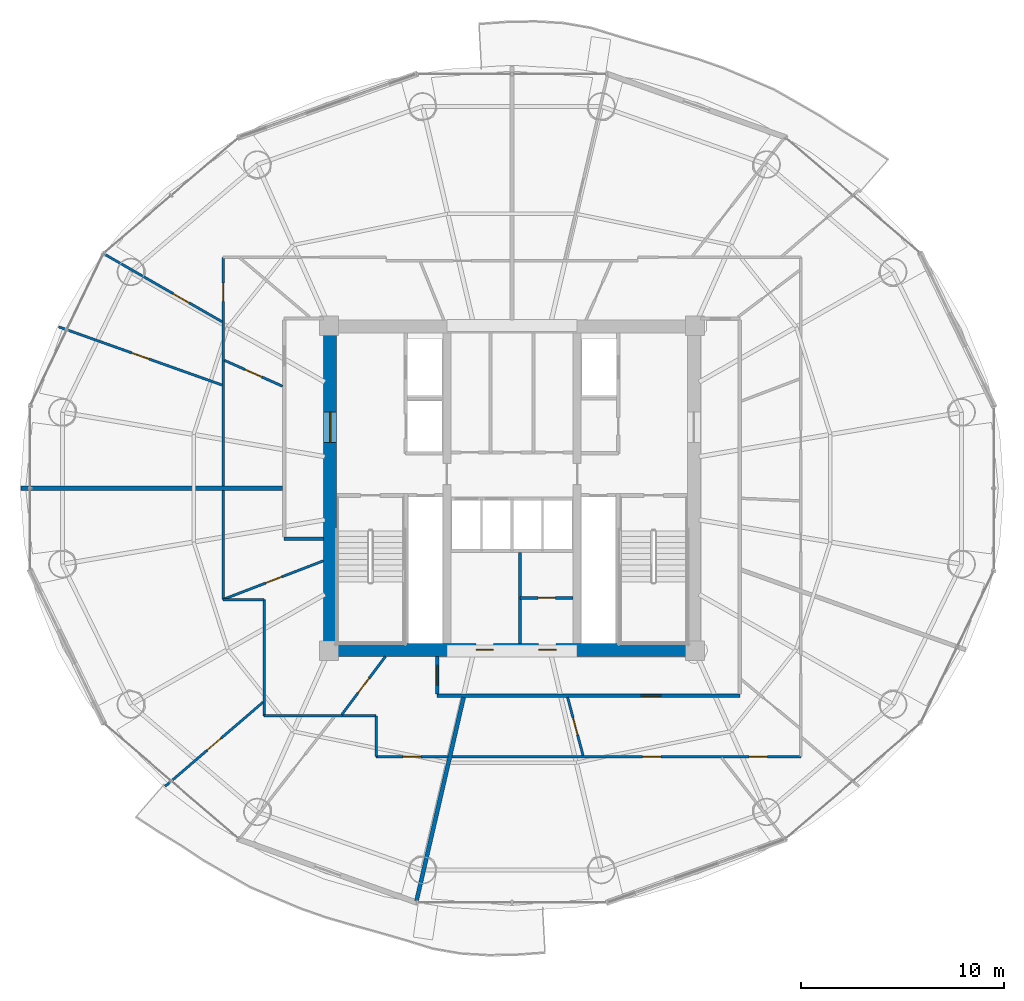
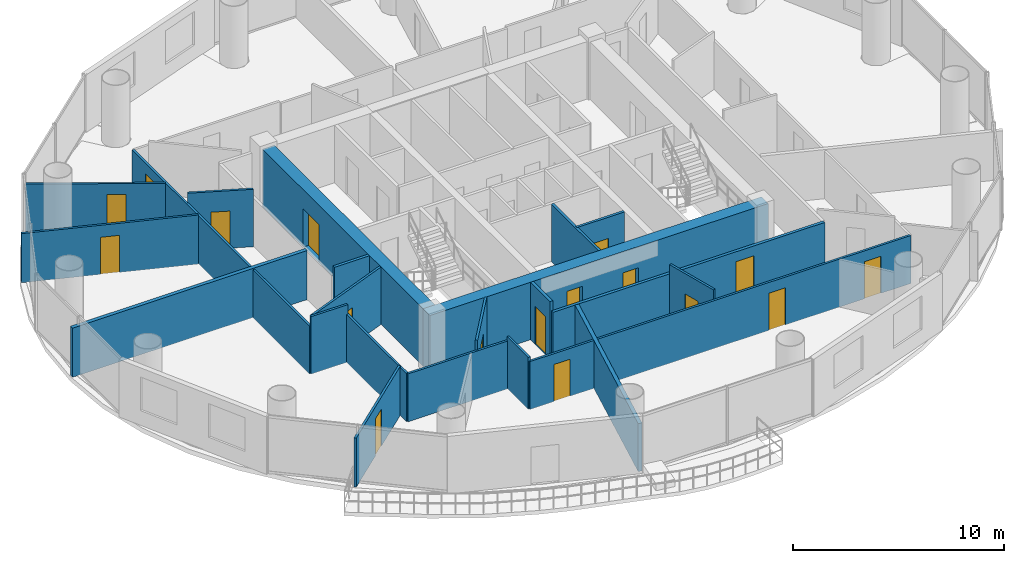
# One storey, part 20 of 26: 24 walls, 17 doors, 17 openings.
"""IFC4 building model written with IfcOpenShell, lengths in metres."""

from ifc_helpers import new_model, si_unit, direction, frame, frame_2d, origin, place, context, subcontext, project, spatial, rectangle, extrude, source, transform, mapped, material, layer, layer_set, type_object, element, fill, save


model = new_model("IFC4")

# Units and contexts
model_context = context("Model", 3, precision=1e-05, world=origin(), true_north=direction((-0.2419218956, 0.970295726276)))
body_context = subcontext(model_context, "Body", "Model", "MODEL_VIEW")
ifc_project = project(units=[si_unit("LENGTHUNIT", "METRE"), si_unit("AREAUNIT", "SQUARE_METRE"), si_unit("VOLUMEUNIT", "CUBIC_METRE"), si_unit("PLANEANGLEUNIT", "RADIAN"), si_unit("MASSUNIT", "GRAM", prefix="KILO")], contexts=[model_context])

# Site, building, storey
site_placement = place(None, origin())
site = spatial("IfcSite", under=ifc_project, at=site_placement, CompositionType="ELEMENT")
building_placement = place(site_placement, origin())
building = spatial("IfcBuilding", under=site, at=building_placement, Name="Cobrevalo Terracotta Tower", CompositionType="ELEMENT")
storey_placement = place(building_placement, frame((0.0, 0.0, 178.60009765625)))
storey = spatial("IfcBuildingStorey", under=building, at=storey_placement, Name="L47", CompositionType="ELEMENT", Elevation=178.60009765625)

# Wall, openings, doors
ifc_material_1 = material(Name="Concrete C55", Category="concrete")
ifc_layer_1 = layer(ifc_material_1, 0.64990234375)
ifc_layer_set_1 = layer_set([ifc_layer_1], Name="Concrete C55")
wall_type_1 = type_object("IfcWallType", Name="Core shear wall 650 mm Concrete C55", PredefinedType="SHEAR", material=ifc_layer_set_1)
wall_1_placement = place(storey_placement, frame((28.72509765625, 18.85009765625, 0.0), z_axis=(0.0, 0.0, 1.0), x_axis=(1.0, 0.0, 0.0)))
wall_1 = element("IfcWall", 1, at=wall_1_placement, inside=storey, type_object=wall_type_1, Name="L47 south core shear wall", PredefinedType="SHEAR", context=body_context, shape_type="SweptSolid", body=[
    extrude(rectangle(XDim=18.5498046875, YDim=0.64990234375, at=frame_2d((9.27490234375, 0.0))), origin(), (0.0, 0.0, 1.0), 3.329833984375),
])
opening_1_placement = place(wall_1_placement, frame((7.510009765625, 0.0, 0.0)))
opening_1 = element("IfcOpeningElement", 2, at=opening_1_placement, cuts=wall_1, Name="Opening ID-22", PredefinedType="OPENING", context=body_context, shape_type="SweptSolid", body=[
    extrude(rectangle(XDim=0.85009765625, YDim=2.10009765625, at=frame_2d((0.425048828125, 1.050048828125))), frame((0.0, 0.3349609375, 0.0), z_axis=(0.0, -1.0, 0.0), x_axis=(1.0, 0.0, 0.0)), (0.0, 0.0, 1.0), 0.669921875),
])
opening_2_placement = place(wall_1_placement, frame((10.590087890625, 0.0, 0.0)))
opening_2 = element("IfcOpeningElement", 3, at=opening_2_placement, cuts=wall_1, Name="Opening ID-22", PredefinedType="OPENING", context=body_context, shape_type="SweptSolid", body=[
    extrude(rectangle(XDim=0.85009765625, YDim=2.10009765625, at=frame_2d((0.425048828125, 1.050048828125))), frame((0.0, 0.3349609375, 0.0), z_axis=(0.0, -1.0, 0.0), x_axis=(1.0, 0.0, 0.0)), (0.0, 0.0, 1.0), 0.669921875),
])
ifc_material_2 = material(Name="Powder-coated steel", Category="steel")
door_type_1 = type_object("IfcDoorType", Name="Riser shaft & meter closet fire access door 850x2100 EI 60", OperationType="NOTDEFINED", PredefinedType="DOOR", material=ifc_material_2)
shared_shape_1 = source(origin(), body_context, "Body", "SweptSolid", [
    extrude(rectangle(XDim=0.85009765625, YDim=2.10009765625, at=frame_2d((0.425048828125, 1.050048828125))), frame((0.0, 0.02490234375, 0.0), z_axis=(0.0, -1.0, 0.0), x_axis=(1.0, 0.0, 0.0)), (0.0, 0.0, 1.0), 0.050048828125),
])
door_1_placement = place(opening_1_placement, origin())
door_1 = element("IfcDoor", 4, at=door_1_placement, inside=storey, type_object=door_type_1, Name="L47 core south plant door Floor AHU Mechanical Plant", OperationType="SINGLE_SWING_RIGHT", OverallHeight=2.10009765625, OverallWidth=0.85009765625, PredefinedType="DOOR", context=body_context, shape_type="MappedRepresentation", body=[
    mapped(shared_shape_1, transform((0.0, 0.0, 0.0), scale=1.0)),
])
fill(opening_1, door_1)
door_2_placement = place(opening_2_placement, origin())
door_2 = element("IfcDoor", 5, at=door_2_placement, inside=storey, type_object=door_type_1, Name="L47 core south plant door Sprinkler Valve Plant", OperationType="SINGLE_SWING_RIGHT", OverallHeight=2.10009765625, OverallWidth=0.85009765625, PredefinedType="DOOR", context=body_context, shape_type="MappedRepresentation", body=[
    mapped(shared_shape_1, transform((0.0, 0.0, 0.0), scale=1.0)),
])
fill(opening_2, door_2)

# Wall, opening, door
wall_2_placement = place(storey_placement, frame((29.050048828125, 19.175048828125, 0.0), z_axis=(0.0, 0.0, 1.0), x_axis=(0.0, 1.0, 0.0)))
wall_2 = element("IfcWall", 6, at=wall_2_placement, inside=storey, type_object=wall_type_1, Name="L47 west core shear wall", PredefinedType="SHEAR", context=body_context, shape_type="SweptSolid", body=[
    extrude(rectangle(XDim=15.25, YDim=0.64990234375, at=frame_2d((7.625, 0.0))), origin(), (0.0, 0.0, 1.0), 3.329833984375),
])
opening_3_placement = place(wall_2_placement, frame((9.875, 0.0, 0.0)))
opening_3 = element("IfcOpeningElement", 7, at=opening_3_placement, cuts=wall_2, Name="Opening ID-14", PredefinedType="OPENING", context=body_context, shape_type="SweptSolid", body=[
    extrude(rectangle(XDim=1.5, YDim=2.199951171875, at=frame_2d((0.75, 1.10009765625))), frame((0.0, 0.3349609375, 0.0), z_axis=(0.0, -1.0, 0.0), x_axis=(1.0, 0.0, 0.0)), (0.0, 0.0, 1.0), 0.669921875),
])
ifc_material_3 = material(Name="Galvanized fire-rated steel", Category="steel")
door_type_2 = type_object("IfcDoorType", Name="Core cross-lobby double fire door 1500x2200 EI 90", OperationType="NOTDEFINED", PredefinedType="DOOR", material=ifc_material_3)
shared_shape_2 = source(origin(), body_context, "Body", "SweptSolid", [
    extrude(rectangle(XDim=1.5, YDim=2.199951171875, at=frame_2d((0.75, 1.10009765625))), frame((0.0, 0.02490234375, 0.0), z_axis=(0.0, -1.0, 0.0), x_axis=(1.0, 0.0, 0.0)), (0.0, 0.0, 1.0), 0.050048828125),
])
door_3_placement = place(opening_3_placement, origin())
door_3 = element("IfcDoor", 8, at=door_3_placement, inside=storey, type_object=door_type_2, Name="L47 west firefighting lobby entrance door", OperationType="DOUBLE_DOOR_SINGLE_SWING", OverallHeight=2.199951171875, OverallWidth=1.5, PredefinedType="DOOR", context=body_context, shape_type="MappedRepresentation", body=[
    mapped(shared_shape_2, transform((0.0, 0.0, 0.0), scale=1.0)),
])
fill(opening_3, door_3)

# Wall
ifc_material_4 = material(Name="Gypsum board on steel stud", Category="steel")
ifc_layer_2 = layer(ifc_material_4, 0.159912109375)
ifc_layer_set_2 = layer_set([ifc_layer_2], Name="Gypsum board on steel stud")
wall_type_2 = type_object("IfcWallType", Name="Fire-rated corridor acoustic partition wall 160 mm", PredefinedType="PARTITIONING", material=ifc_layer_set_2)
wall_3_placement = place(storey_placement, frame((26.794921875, 24.320068359375, 0.0), z_axis=(0.0, 0.0, 1.0), x_axis=(1.0, 0.0, 0.0)))
element("IfcWall", 9, at=wall_3_placement, inside=storey, type_object=wall_type_2, Name="L47 interior partition IW-L47-COR-WS-CAP", PredefinedType="PARTITIONING", context=body_context, shape_type="SweptSolid", body=[
    extrude(rectangle(XDim=1.93017578125, YDim=0.159912109375, at=frame_2d((0.965087890625, 0.0))), origin(), (0.0, 0.0, 1.0), 3.329833984375),
])

# Wall, opening, door
wall_4_placement = place(storey_placement, frame((34.320068359375, 16.594970703125, 0.0), z_axis=(0.0, 0.0, 1.0), x_axis=(1.0, 0.0, 0.0)))
wall_4 = element("IfcWall", 10, at=wall_4_placement, inside=storey, type_object=wall_type_2, Name="L47 interior partition IW-L47-COR-S", PredefinedType="PARTITIONING", context=body_context, shape_type="SweptSolid", body=[
    extrude(rectangle(XDim=14.885009765625, YDim=0.159912109375, at=frame_2d((7.4423828125, 0.0))), origin(), (0.0, 0.0, 1.0), 2.77587890625),
])
opening_4_placement = place(wall_4_placement, frame((10.02587890625, 0.0, 0.0)))
opening_4 = element("IfcOpeningElement", 11, at=opening_4_placement, cuts=wall_4, Name="Opening ID-05", PredefinedType="OPENING", context=body_context, shape_type="SweptSolid", body=[
    extrude(rectangle(XDim=0.97998046875, YDim=2.199951171875, at=frame_2d((0.489990234375, 1.10009765625))), frame((0.0, 0.08984375, 0.0), z_axis=(0.0, -1.0, 0.0), x_axis=(1.0, 0.0, 0.0)), (0.0, 0.0, 1.0), 0.179931640625),
])
ifc_material_5 = material(Name="Solid hardwood timber", Category="wood")
door_type_3 = type_object("IfcDoorType", Name="Residence entrance fire-rated acoustic timber door 980x2200 EI 60", OperationType="NOTDEFINED", PredefinedType="DOOR", material=ifc_material_5)
shared_shape_3 = source(origin(), body_context, "Body", "SweptSolid", [
    extrude(rectangle(XDim=0.97998046875, YDim=2.199951171875, at=frame_2d((0.489990234375, 1.10009765625))), frame((0.0, 0.02490234375, 0.0), z_axis=(0.0, -1.0, 0.0), x_axis=(1.0, 0.0, 0.0)), (0.0, 0.0, 1.0), 0.050048828125),
])
door_4_placement = place(opening_4_placement, frame((0.97998046875, 0.0, 0.0), z_axis=(0.0, 0.0, 1.0), x_axis=(-1.0, 0.0, 0.0)))
door_4 = element("IfcDoor", 12, at=door_4_placement, inside=storey, type_object=door_type_3, Name="Flat L47D fire-rated apartment entrance door", OperationType="SINGLE_SWING_RIGHT", OverallHeight=2.199951171875, OverallWidth=0.97998046875, PredefinedType="DOOR", context=body_context, shape_type="MappedRepresentation", body=[
    mapped(shared_shape_3, transform((0.0, 0.0, 0.0), scale=1.0)),
])
fill(opening_4, door_4)

wall_5_placement = place(storey_placement, frame((34.320068359375, 16.675048828125, 0.0), z_axis=(0.0, 0.0, 1.0), x_axis=(0.0, 1.0, 0.0)))
wall_5 = element("IfcWall", 13, at=wall_5_placement, inside=storey, type_object=wall_type_2, Name="L47 interior partition IW-L47-COR-SW-CAP", PredefinedType="PARTITIONING", context=body_context, shape_type="SweptSolid", body=[
    extrude(rectangle(XDim=1.849853515625, YDim=0.159912109375, at=frame_2d((0.9248046875, 0.0))), origin(), (0.0, 0.0, 1.0), 3.329833984375),
])
opening_5_placement = place(wall_5_placement, frame((0.43505859375, 0.0, 0.0)))
opening_5 = element("IfcOpeningElement", 14, at=opening_5_placement, cuts=wall_5, Name="Opening ID-05", PredefinedType="OPENING", context=body_context, shape_type="SweptSolid", body=[
    extrude(rectangle(XDim=0.97998046875, YDim=2.199951171875, at=frame_2d((0.489990234375, 1.10009765625))), frame((0.0, 0.08984375, 0.0), z_axis=(0.0, -1.0, 0.0), x_axis=(1.0, 0.0, 0.0)), (0.0, 0.0, 1.0), 0.179931640625),
])
door_5_placement = place(opening_5_placement, origin())
door_5 = element("IfcDoor", 15, at=door_5_placement, inside=storey, type_object=door_type_3, Name="Flat L47C fire-rated apartment entrance door", OperationType="SINGLE_SWING_RIGHT", OverallHeight=2.199951171875, OverallWidth=0.97998046875, PredefinedType="DOOR", context=body_context, shape_type="MappedRepresentation", body=[
    mapped(shared_shape_3, transform((0.0, 0.0, 0.0), scale=1.0)),
])
fill(opening_5, door_5)

# Walls
ifc_material_6 = material(Name="Autoclaved aerated concrete block", Category="concrete")
ifc_layer_3 = layer(ifc_material_6, 0.199951171875)
ifc_layer_set_3 = layer_set([ifc_layer_3], Name="Autoclaved aerated concrete block")
wall_type_3 = type_object("IfcWallType", Name="Fire-rated stair, shaft & demising masonry wall 200 mm", PredefinedType="PARTITIONING", material=ifc_layer_set_3)
wall_6_placement = place(storey_placement, frame((26.715087890625, 26.800048828125, 0.0), z_axis=(0.0, 0.0, 1.0), x_axis=(-1.0, 0.0, 0.0)))
element("IfcWall", 16, at=wall_6_placement, inside=storey, type_object=wall_type_3, Name="L47 interior partition IW-L47-DEM-3", PredefinedType="PARTITIONING", context=body_context, shape_type="SweptSolid", body=[
    extrude(rectangle(XDim=12.85498046875, YDim=0.199951171875, at=frame_2d((6.427490234375, 0.0))), origin(), (0.0, 0.0, 1.0), 2.845947265625),
])
wall_7_placement = place(storey_placement, frame((35.619873046875, 16.514892578125, 0.0), z_axis=(0.0, 0.0, 1.0), x_axis=(-0.225473598067, -0.974249278457, 0.0)))
element("IfcWall", 17, at=wall_7_placement, inside=storey, type_object=wall_type_3, Name="L47 interior partition IW-L47-DEM-4", PredefinedType="PARTITIONING", context=body_context, shape_type="SweptSolid", body=[
    extrude(rectangle(XDim=10.27783203125, YDim=0.199951171875, at=frame_2d((5.138916015625, 0.0))), origin(), (0.0, 0.0, 1.0), 2.77587890625),
])
ifc_layer_4 = layer(ifc_material_6, 0.139892578125)
ifc_layer_set_4 = layer_set([ifc_layer_4], Name="Autoclaved aerated concrete block")
wall_type_4 = type_object("IfcWallType", Name="Moisture-resistant wet-room & core service partition 140 mm", PredefinedType="PARTITIONING", material=ifc_layer_set_4)
wall_8_placement = place(storey_placement, frame((38.39990234375, 19.175048828125, 0.0), z_axis=(0.0, 0.0, 1.0), x_axis=(0.0, 1.0, 0.0)))
element("IfcWall", 18, at=wall_8_placement, inside=storey, type_object=wall_type_4, Name="L47 interior partition IW-L47-KVS-L1", PredefinedType="PARTITIONING", context=body_context, shape_type="SweptSolid", body=[
    extrude(rectangle(XDim=4.46484375, YDim=0.139892578125, at=frame_2d((2.232421875, 0.0))), origin(), (0.0, 0.0, 1.0), 3.329833984375),
])

# Wall, opening, door
wall_9_placement = place(storey_placement, frame((38.39990234375, 21.407470703125, 0.0), z_axis=(0.0, 0.0, 1.0), x_axis=(1.0, 0.0, 0.0)))
wall_9 = element("IfcWall", 19, at=wall_9_placement, inside=storey, type_object=wall_type_4, Name="L47 interior partition IW-L47-KVS-L2", PredefinedType="PARTITIONING", context=body_context, shape_type="SweptSolid", body=[
    extrude(rectangle(XDim=2.610107421875, YDim=0.139892578125, at=frame_2d((1.30517578125, 0.0))), origin(), (0.0, 0.0, 1.0), 3.329833984375),
])
opening_6_placement = place(wall_9_placement, frame((0.8798828125, 0.0, 0.0)))
opening_6 = element("IfcOpeningElement", 20, at=opening_6_placement, cuts=wall_9, Name="Opening ID-22", PredefinedType="OPENING", context=body_context, shape_type="SweptSolid", body=[
    extrude(rectangle(XDim=0.85009765625, YDim=2.10009765625, at=frame_2d((0.425048828125, 1.050048828125))), frame((0.0, 0.080078125, 0.0), z_axis=(0.0, -1.0, 0.0), x_axis=(1.0, 0.0, 0.0)), (0.0, 0.0, 1.0), 0.159912109375),
])
door_6_placement = place(opening_6_placement, origin())
door_6 = element("IfcDoor", 21, at=door_6_placement, inside=storey, type_object=door_type_1, Name="L47 core KVS-L2 inner door", OperationType="SINGLE_SWING_LEFT", OverallHeight=2.10009765625, OverallWidth=0.85009765625, PredefinedType="DOOR", context=body_context, shape_type="MappedRepresentation", body=[
    mapped(shared_shape_1, transform((0.0, 0.0, 0.0), scale=1.0)),
])
fill(opening_6, door_6)

ifc_layer_5 = layer(ifc_material_4, 0.1201171875)
ifc_layer_set_5 = layer_set([ifc_layer_5], Name="Gypsum board on steel stud")
wall_type_5 = type_object("IfcWallType", Name="Residential internal acoustic stud partition 120 mm", PredefinedType="PARTITIONING", material=ifc_layer_set_5)
wall_10_placement = place(storey_placement, frame((23.794921875, 26.902099609375, 0.0), z_axis=(0.0, 0.0, 1.0), x_axis=(0.0, 1.0, 0.0)))
wall_10 = element("IfcWall", 22, at=wall_10_placement, inside=storey, type_object=wall_type_5, Name="L47 interior partition IW-L47-U2-RING0_0", PredefinedType="PARTITIONING", context=body_context, shape_type="SweptSolid", body=[
    extrude(rectangle(XDim=11.2529296875, YDim=0.1201171875, at=frame_2d((5.62646484375, 0.0))), origin(), (0.0, 0.0, 1.0), 2.77587890625),
])
opening_7_placement = place(wall_10_placement, frame((9.084716796875, 0.0, 0.0)))
opening_7 = element("IfcOpeningElement", 23, at=opening_7_placement, cuts=wall_10, Name="Opening ID-12", PredefinedType="OPENING", context=body_context, shape_type="SweptSolid", body=[
    extrude(rectangle(XDim=0.89990234375, YDim=2.14990234375, at=frame_2d((0.449951171875, 1.074951171875))), frame((0.0, 0.070068359375, 0.0), z_axis=(0.0, -1.0, 0.0), x_axis=(1.0, 0.0, 0.0)), (0.0, 0.0, 1.0), 0.14013671875),
])
ifc_material_7 = material(Name="Engineered timber", Category="wood")
door_type_4 = type_object("IfcDoorType", Name="Internal residence & suite timber door 900x2150", OperationType="NOTDEFINED", PredefinedType="DOOR", material=ifc_material_7)
shared_shape_4 = source(origin(), body_context, "Body", "SweptSolid", [
    extrude(rectangle(XDim=0.89990234375, YDim=2.14990234375, at=frame_2d((0.449951171875, 1.074951171875))), frame((0.0, 0.02490234375, 0.0), z_axis=(0.0, -1.0, 0.0), x_axis=(1.0, 0.0, 0.0)), (0.0, 0.0, 1.0), 0.050048828125),
])
door_7_placement = place(opening_7_placement, frame((0.89990234375, 0.0, 0.0), z_axis=(0.0, 0.0, 1.0), x_axis=(-1.0, 0.0, 0.0)))
door_7 = element("IfcDoor", 24, at=door_7_placement, inside=storey, type_object=door_type_4, Name="Flat L47B Penthouse Living and Dining Room internal door", OperationType="SINGLE_SWING_RIGHT", OverallHeight=2.14990234375, OverallWidth=0.89990234375, PredefinedType="DOOR", context=body_context, shape_type="MappedRepresentation", body=[
    mapped(shared_shape_4, transform((0.0, 0.0, 0.0), scale=1.0)),
])
fill(opening_7, door_7)

wall_11_placement = place(storey_placement, frame((23.7412109375, 34.98876953125, 0.0), z_axis=(0.0, 0.0, 1.0), x_axis=(-0.867167953258, 0.498015803808, 0.0)))
wall_11 = element("IfcWall", 25, at=wall_11_placement, inside=storey, type_object=wall_type_5, Name="L47 interior partition IW-L47-U2-ORAD1", PredefinedType="PARTITIONING", context=body_context, shape_type="SweptSolid", body=[
    extrude(rectangle(XDim=6.64990234375, YDim=0.1201171875, at=frame_2d((3.324951171875, 0.0))), origin(), (0.0, 0.0, 1.0), 2.77587890625),
])
opening_8_placement = place(wall_11_placement, frame((1.872802734375, 0.0, 0.0)))
opening_8 = element("IfcOpeningElement", 26, at=opening_8_placement, cuts=wall_11, Name="Opening ID-12", PredefinedType="OPENING", context=body_context, shape_type="SweptSolid", body=[
    extrude(rectangle(XDim=0.89990234375, YDim=2.14990234375, at=frame_2d((0.449951171875, 1.074951171875))), frame((0.0, 0.070068359375, 0.0), z_axis=(0.0, -1.0, 0.0), x_axis=(1.0, 0.0, 0.0)), (0.0, 0.0, 1.0), 0.14013671875),
])
door_8_placement = place(opening_8_placement, origin())
door_8 = element("IfcDoor", 27, at=door_8_placement, inside=storey, type_object=door_type_4, Name="Flat L47B Master Bedroom internal door", OperationType="SINGLE_SWING_LEFT", OverallHeight=2.14990234375, OverallWidth=0.89990234375, PredefinedType="DOOR", context=body_context, shape_type="MappedRepresentation", body=[
    mapped(shared_shape_4, transform((0.0, 0.0, 0.0), scale=1.0)),
])
fill(opening_8, door_8)

wall_12_placement = place(storey_placement, frame((23.736572265625, 31.8779296875, 0.0), z_axis=(0.0, 0.0, 1.0), x_axis=(-0.942071057968, 0.335413359512, 0.0)))
wall_12 = element("IfcWall", 28, at=wall_12_placement, inside=storey, type_object=wall_type_5, Name="L47 interior partition IW-L47-U2-ORAD2M1", PredefinedType="PARTITIONING", context=body_context, shape_type="SweptSolid", body=[
    extrude(rectangle(XDim=8.530029296875, YDim=0.1201171875, at=frame_2d((4.26513671875, 0.0))), origin(), (0.0, 0.0, 1.0), 2.845947265625),
])
opening_9_placement = place(wall_12_placement, frame((3.815185546875, 0.0, 0.0)))
opening_9 = element("IfcOpeningElement", 29, at=opening_9_placement, cuts=wall_12, Name="Opening ID-12", PredefinedType="OPENING", context=body_context, shape_type="SweptSolid", body=[
    extrude(rectangle(XDim=0.89990234375, YDim=2.14990234375, at=frame_2d((0.449951171875, 1.074951171875))), frame((0.0, 0.070068359375, 0.0), z_axis=(0.0, -1.0, 0.0), x_axis=(1.0, 0.0, 0.0)), (0.0, 0.0, 1.0), 0.14013671875),
])
door_9_placement = place(opening_9_placement, origin())
door_9 = element("IfcDoor", 30, at=door_9_placement, inside=storey, type_object=door_type_4, Name="Flat L47B Penthouse Family Lounge internal door", OperationType="SINGLE_SWING_LEFT", OverallHeight=2.14990234375, OverallWidth=0.89990234375, PredefinedType="DOOR", context=body_context, shape_type="MappedRepresentation", body=[
    mapped(shared_shape_4, transform((0.0, 0.0, 0.0), scale=1.0)),
])
fill(opening_9, door_9)

wall_13_placement = place(storey_placement, frame((26.715087890625, 31.817626953125, 0.0), z_axis=(0.0, 0.0, 1.0), x_axis=(-0.913750499147, 0.406275799561, 0.0)))
wall_13 = element("IfcWall", 31, at=wall_13_placement, inside=storey, type_object=wall_type_5, Name="L47 interior partition IW-L47-U2-IRAD3", PredefinedType="PARTITIONING", context=body_context, shape_type="SweptSolid", body=[
    extrude(rectangle(XDim=3.1337890625, YDim=0.1201171875, at=frame_2d((1.56689453125, 0.0))), origin(), (0.0, 0.0, 1.0), 3.329833984375),
])
opening_10_placement = place(wall_13_placement, frame((1.11669921875, 0.0, 0.0)))
opening_10 = element("IfcOpeningElement", 32, at=opening_10_placement, cuts=wall_13, Name="Opening ID-12", PredefinedType="OPENING", context=body_context, shape_type="SweptSolid", body=[
    extrude(rectangle(XDim=0.89990234375, YDim=2.14990234375, at=frame_2d((0.449951171875, 1.074951171875))), frame((0.0, 0.070068359375, 0.0), z_axis=(0.0, -1.0, 0.0), x_axis=(1.0, 0.0, 0.0)), (0.0, 0.0, 1.0), 0.14013671875),
])
door_10_placement = place(opening_10_placement, origin())
door_10 = element("IfcDoor", 33, at=door_10_placement, inside=storey, type_object=door_type_4, Name="Flat L47B Private Library Meeting Room internal door", OperationType="SINGLE_SWING_RIGHT", OverallHeight=2.14990234375, OverallWidth=0.89990234375, PredefinedType="DOOR", context=body_context, shape_type="MappedRepresentation", body=[
    mapped(shared_shape_4, transform((0.0, 0.0, 0.0), scale=1.0)),
])
fill(opening_10, door_10)

wall_14_placement = place(storey_placement, frame((34.842041015625, 13.594970703125, 0.0), z_axis=(0.0, 0.0, 1.0), x_axis=(-1.0, 0.0, 0.0)))
wall_14 = element("IfcWall", 34, at=wall_14_placement, inside=storey, type_object=wall_type_5, Name="L47 interior partition IW-L47-U3-RING0_0", PredefinedType="PARTITIONING", context=body_context, shape_type="SweptSolid", body=[
    extrude(rectangle(XDim=3.52197265625, YDim=0.1201171875, at=frame_2d((1.760986328125, 0.0))), origin(), (0.0, 0.0, 1.0), 2.77587890625),
])
opening_11_placement = place(wall_14_placement, frame((1.31103515625, 0.0, 0.0)))
opening_11 = element("IfcOpeningElement", 35, at=opening_11_placement, cuts=wall_14, Name="Opening ID-12", PredefinedType="OPENING", context=body_context, shape_type="SweptSolid", body=[
    extrude(rectangle(XDim=0.89990234375, YDim=2.14990234375, at=frame_2d((0.449951171875, 1.074951171875))), frame((0.0, 0.070068359375, 0.0), z_axis=(0.0, -1.0, 0.0), x_axis=(1.0, 0.0, 0.0)), (0.0, 0.0, 1.0), 0.14013671875),
])
door_11_placement = place(opening_11_placement, origin())
door_11 = element("IfcDoor", 36, at=door_11_placement, inside=storey, type_object=door_type_4, Name="Flat L47C Penthouse Family Lounge internal door", OperationType="SINGLE_SWING_LEFT", OverallHeight=2.14990234375, OverallWidth=0.89990234375, PredefinedType="DOOR", context=body_context, shape_type="MappedRepresentation", body=[
    mapped(shared_shape_4, transform((0.0, 0.0, 0.0), scale=1.0)),
])
fill(opening_11, door_11)

# Walls
wall_15_placement = place(storey_placement, frame((31.320068359375, 13.594970703125, 0.0), z_axis=(0.0, 0.0, 1.0), x_axis=(0.0, 1.0, 0.0)))
element("IfcWall", 37, at=wall_15_placement, inside=storey, type_object=wall_type_5, Name="L47 interior partition IW-L47-U3-RING1_0", PredefinedType="PARTITIONING", context=body_context, shape_type="SweptSolid", body=[
    extrude(rectangle(XDim=2.010009765625, YDim=0.1201171875, at=frame_2d((1.0048828125, 0.0))), origin(), (0.0, 0.0, 1.0), 3.0048828125),
])
wall_16_placement = place(storey_placement, frame((31.320068359375, 15.60498046875, 0.0), z_axis=(0.0, 0.0, 1.0), x_axis=(-1.0, 0.0, 0.0)))
element("IfcWall", 38, at=wall_16_placement, inside=storey, type_object=wall_type_5, Name="L47 interior partition IW-L47-U3-RING2_0", PredefinedType="PARTITIONING", context=body_context, shape_type="SweptSolid", body=[
    extrude(rectangle(XDim=5.51513671875, YDim=0.1201171875, at=frame_2d((2.757568359375, 0.0))), origin(), (0.0, 0.0, 1.0), 2.77587890625),
])
wall_17_placement = place(storey_placement, frame((25.804931640625, 15.60498046875, 0.0), z_axis=(0.0, 0.0, 1.0), x_axis=(0.0, 1.0, 0.0)))
element("IfcWall", 39, at=wall_17_placement, inside=storey, type_object=wall_type_5, Name="L47 interior partition IW-L47-U3-RING3_0", PredefinedType="PARTITIONING", context=body_context, shape_type="SweptSolid", body=[
    extrude(rectangle(XDim=5.715087890625, YDim=0.1201171875, at=frame_2d((2.857421875, 0.0))), origin(), (0.0, 0.0, 1.0), 2.77587890625),
])
wall_18_placement = place(storey_placement, frame((25.804931640625, 21.320068359375, 0.0), z_axis=(0.0, 0.0, 1.0), x_axis=(-1.0, 0.0, 0.0)))
element("IfcWall", 40, at=wall_18_placement, inside=storey, type_object=wall_type_5, Name="L47 interior partition IW-L47-U3-RING4_0", PredefinedType="PARTITIONING", context=body_context, shape_type="SweptSolid", body=[
    extrude(rectangle(XDim=2.010009765625, YDim=0.1201171875, at=frame_2d((1.0048828125, 0.0))), origin(), (0.0, 0.0, 1.0), 3.329833984375),
])
wall_19_placement = place(storey_placement, frame((23.794921875, 21.320068359375, 0.0), z_axis=(0.0, 0.0, 1.0), x_axis=(0.0, 1.0, 0.0)))
element("IfcWall", 41, at=wall_19_placement, inside=storey, type_object=wall_type_5, Name="L47 interior partition IW-L47-U3-RING5_0", PredefinedType="PARTITIONING", context=body_context, shape_type="SweptSolid", body=[
    extrude(rectangle(XDim=5.3779296875, YDim=0.1201171875, at=frame_2d((2.68896484375, 0.0))), origin(), (0.0, 0.0, 1.0), 2.77587890625),
])

# Wall, opening, door
wall_20_placement = place(storey_placement, frame((25.758056640625, 16.27783203125, 0.0), z_axis=(0.0, 0.0, 1.0), x_axis=(-0.758374994665, -0.651818508073, 0.0)))
wall_20 = element("IfcWall", 42, at=wall_20_placement, inside=storey, type_object=wall_type_5, Name="L47 interior partition IW-L47-U3-ORAD1", PredefinedType="PARTITIONING", context=body_context, shape_type="SweptSolid", body=[
    extrude(rectangle(XDim=6.358154296875, YDim=0.1201171875, at=frame_2d((3.17919921875, 0.0))), origin(), (0.0, 0.0, 1.0), 2.845947265625),
])
opening_12_placement = place(wall_20_placement, frame((2.72900390625, 0.0, 0.0)))
opening_12 = element("IfcOpeningElement", 43, at=opening_12_placement, cuts=wall_20, Name="Opening ID-12", PredefinedType="OPENING", context=body_context, shape_type="SweptSolid", body=[
    extrude(rectangle(XDim=0.89990234375, YDim=2.14990234375, at=frame_2d((0.449951171875, 1.074951171875))), frame((0.0, 0.070068359375, 0.0), z_axis=(0.0, -1.0, 0.0), x_axis=(1.0, 0.0, 0.0)), (0.0, 0.0, 1.0), 0.14013671875),
])
door_12_placement = place(opening_12_placement, frame((0.89990234375, 0.0, 0.0), z_axis=(0.0, 0.0, 1.0), x_axis=(-1.0, 0.0, 0.0)))
door_12 = element("IfcDoor", 44, at=door_12_placement, inside=storey, type_object=door_type_4, Name="Flat L47C Penthouse Living and Dining Room internal door", OperationType="SINGLE_SWING_LEFT", OverallHeight=2.14990234375, OverallWidth=0.89990234375, PredefinedType="DOOR", context=body_context, shape_type="MappedRepresentation", body=[
    mapped(shared_shape_4, transform((0.0, 0.0, 0.0), scale=1.0)),
])
fill(opening_12, door_12)

wall_21_placement = place(storey_placement, frame((28.72314453125, 23.229248046875, 0.0), z_axis=(0.0, 0.0, 1.0), x_axis=(-0.933262385607, -0.359195378048, 0.0)))
wall_21 = element("IfcWall", 45, at=wall_21_placement, inside=storey, type_object=wall_type_5, Name="L47 interior partition IW-L47-U3-IRAD1", PredefinedType="PARTITIONING", context=body_context, shape_type="SweptSolid", body=[
    extrude(rectangle(XDim=5.21875, YDim=0.1201171875, at=frame_2d((2.609375, 0.0))), origin(), (0.0, 0.0, 1.0), 3.329833984375),
])
opening_13_placement = place(wall_21_placement, frame((2.17919921875, 0.0, 0.0)))
opening_13 = element("IfcOpeningElement", 46, at=opening_13_placement, cuts=wall_21, Name="Opening ID-19", PredefinedType="OPENING", context=body_context, shape_type="SweptSolid", body=[
    extrude(rectangle(XDim=0.860107421875, YDim=2.14990234375, at=frame_2d((0.43017578125, 1.074951171875))), frame((0.0, 0.070068359375, 0.0), z_axis=(0.0, -1.0, 0.0), x_axis=(1.0, 0.0, 0.0)), (0.0, 0.0, 1.0), 0.14013671875),
])
ifc_material_8 = material(Name="Moisture-sealed timber", Category="wood")
door_type_5 = type_object("IfcDoorType", Name="Suite bathroom internal timber door 860x2150", OperationType="NOTDEFINED", PredefinedType="DOOR", material=ifc_material_8)
shared_shape_5 = source(origin(), body_context, "Body", "SweptSolid", [
    extrude(rectangle(XDim=0.860107421875, YDim=2.14990234375, at=frame_2d((0.43017578125, 1.074951171875))), frame((0.0, 0.02490234375, 0.0), z_axis=(0.0, -1.0, 0.0), x_axis=(1.0, 0.0, 0.0)), (0.0, 0.0, 1.0), 0.050048828125),
])
door_13_placement = place(opening_13_placement, frame((0.860107421875, 0.0, 0.0), z_axis=(0.0, 0.0, 1.0), x_axis=(-1.0, 0.0, 0.0)))
door_13 = element("IfcDoor", 47, at=door_13_placement, inside=storey, type_object=door_type_5, Name="Flat L47C Primary Bathroom internal door", OperationType="SINGLE_SWING_RIGHT", OverallHeight=2.14990234375, OverallWidth=0.860107421875, PredefinedType="DOOR", context=body_context, shape_type="MappedRepresentation", body=[
    mapped(shared_shape_5, transform((0.0, 0.0, 0.0), scale=1.0)),
])
fill(opening_13, door_13)

wall_22_placement = place(storey_placement, frame((31.776611328125, 18.52490234375, 0.0), z_axis=(0.0, 0.0, 1.0), x_axis=(-0.601054484551, -0.799208049635, 0.0)))
wall_22 = element("IfcWall", 48, at=wall_22_placement, inside=storey, type_object=wall_type_5, Name="L47 interior partition IW-L47-U3-IRAD2", PredefinedType="PARTITIONING", context=body_context, shape_type="SweptSolid", body=[
    extrude(rectangle(XDim=3.591552734375, YDim=0.1201171875, at=frame_2d((1.7958984375, 0.0))), origin(), (0.0, 0.0, 1.0), 3.329833984375),
])
opening_14_placement = place(wall_22_placement, frame((1.345703125, 0.0, 0.0)))
opening_14 = element("IfcOpeningElement", 49, at=opening_14_placement, cuts=wall_22, Name="Opening ID-12", PredefinedType="OPENING", context=body_context, shape_type="SweptSolid", body=[
    extrude(rectangle(XDim=0.89990234375, YDim=2.14990234375, at=frame_2d((0.449951171875, 1.074951171875))), frame((0.0, 0.070068359375, 0.0), z_axis=(0.0, -1.0, 0.0), x_axis=(1.0, 0.0, 0.0)), (0.0, 0.0, 1.0), 0.14013671875),
])
door_14_placement = place(opening_14_placement, frame((0.89990234375, 0.0, 0.0), z_axis=(0.0, 0.0, 1.0), x_axis=(-1.0, 0.0, 0.0)))
door_14 = element("IfcDoor", 50, at=door_14_placement, inside=storey, type_object=door_type_4, Name="Flat L47C Reception Hallway internal door", OperationType="SINGLE_SWING_RIGHT", OverallHeight=2.14990234375, OverallWidth=0.89990234375, PredefinedType="DOOR", context=body_context, shape_type="MappedRepresentation", body=[
    mapped(shared_shape_4, transform((0.0, 0.0, 0.0), scale=1.0)),
])
fill(opening_14, door_14)

# Wall, openings, doors
wall_23_placement = place(storey_placement, frame((52.205078125, 13.594970703125, 0.0), z_axis=(0.0, 0.0, 1.0), x_axis=(-1.0, 0.0, 0.0)))
wall_23 = element("IfcWall", 51, at=wall_23_placement, inside=storey, type_object=wall_type_5, Name="L47 interior partition IW-L47-U4-RING1_0", PredefinedType="PARTITIONING", context=body_context, shape_type="SweptSolid", body=[
    extrude(rectangle(XDim=17.1591796875, YDim=0.1201171875, at=frame_2d((8.57958984375, 0.0))), origin(), (0.0, 0.0, 1.0), 2.77587890625),
])
opening_15_placement = place(wall_23_placement, frame((6.878662109375, 0.0, 0.0)))
opening_15 = element("IfcOpeningElement", 52, at=opening_15_placement, cuts=wall_23, Name="Opening ID-12", PredefinedType="OPENING", context=body_context, shape_type="SweptSolid", body=[
    extrude(rectangle(XDim=0.89990234375, YDim=2.14990234375, at=frame_2d((0.449951171875, 1.074951171875))), frame((0.0, 0.070068359375, 0.0), z_axis=(0.0, -1.0, 0.0), x_axis=(1.0, 0.0, 0.0)), (0.0, 0.0, 1.0), 0.14013671875),
])
opening_16_placement = place(wall_23_placement, frame((1.6396484375, 0.0, 0.0)))
opening_16 = element("IfcOpeningElement", 53, at=opening_16_placement, cuts=wall_23, Name="Opening ID-12", PredefinedType="OPENING", context=body_context, shape_type="SweptSolid", body=[
    extrude(rectangle(XDim=0.89990234375, YDim=2.14990234375, at=frame_2d((0.449951171875, 1.074951171875))), frame((0.0, 0.070068359375, 0.0), z_axis=(0.0, -1.0, 0.0), x_axis=(1.0, 0.0, 0.0)), (0.0, 0.0, 1.0), 0.14013671875),
])
door_15_placement = place(opening_15_placement, origin())
door_15 = element("IfcDoor", 54, at=door_15_placement, inside=storey, type_object=door_type_4, Name="Flat L47D Penthouse Living and Dining Room internal door", OperationType="SINGLE_SWING_RIGHT", OverallHeight=2.14990234375, OverallWidth=0.89990234375, PredefinedType="DOOR", context=body_context, shape_type="MappedRepresentation", body=[
    mapped(shared_shape_4, transform((0.0, 0.0, 0.0), scale=1.0)),
])
fill(opening_15, door_15)
door_16_placement = place(opening_16_placement, origin())
door_16 = element("IfcDoor", 55, at=door_16_placement, inside=storey, type_object=door_type_4, Name="Flat L47D Master Bedroom internal door", OperationType="SINGLE_SWING_LEFT", OverallHeight=2.14990234375, OverallWidth=0.89990234375, PredefinedType="DOOR", context=body_context, shape_type="MappedRepresentation", body=[
    mapped(shared_shape_4, transform((0.0, 0.0, 0.0), scale=1.0)),
])
fill(opening_16, door_16)

# Wall, opening, door
wall_24_placement = place(storey_placement, frame((40.73486328125, 16.514892578125, 0.0), z_axis=(0.0, 0.0, 1.0), x_axis=(0.256989915822, -0.966414084731, 0.0)))
wall_24 = element("IfcWall", 56, at=wall_24_placement, inside=storey, type_object=wall_type_5, Name="L47 interior partition IW-L47-U4-IRAD1", PredefinedType="PARTITIONING", context=body_context, shape_type="SweptSolid", body=[
    extrude(rectangle(XDim=2.959228515625, YDim=0.1201171875, at=frame_2d((1.4794921875, 0.0))), origin(), (0.0, 0.0, 1.0), 3.329833984375),
])
opening_17_placement = place(wall_24_placement, frame((1.0498046875, 0.0, 0.0)))
opening_17 = element("IfcOpeningElement", 57, at=opening_17_placement, cuts=wall_24, Name="Opening ID-19", PredefinedType="OPENING", context=body_context, shape_type="SweptSolid", body=[
    extrude(rectangle(XDim=0.860107421875, YDim=2.14990234375, at=frame_2d((0.43017578125, 1.074951171875))), frame((0.0, 0.070068359375, 0.0), z_axis=(0.0, -1.0, 0.0), x_axis=(1.0, 0.0, 0.0)), (0.0, 0.0, 1.0), 0.14013671875),
])
door_17_placement = place(opening_17_placement, frame((0.860107421875, 0.0, 0.0), z_axis=(0.0, 0.0, 1.0), x_axis=(-1.0, 0.0, 0.0)))
door_17 = element("IfcDoor", 58, at=door_17_placement, inside=storey, type_object=door_type_5, Name="Flat L47D Primary Bathroom internal door", OperationType="SINGLE_SWING_LEFT", OverallHeight=2.14990234375, OverallWidth=0.860107421875, PredefinedType="DOOR", context=body_context, shape_type="MappedRepresentation", body=[
    mapped(shared_shape_5, transform((0.0, 0.0, 0.0), scale=1.0)),
])
fill(opening_17, door_17)

save(model, "model.ifc")
